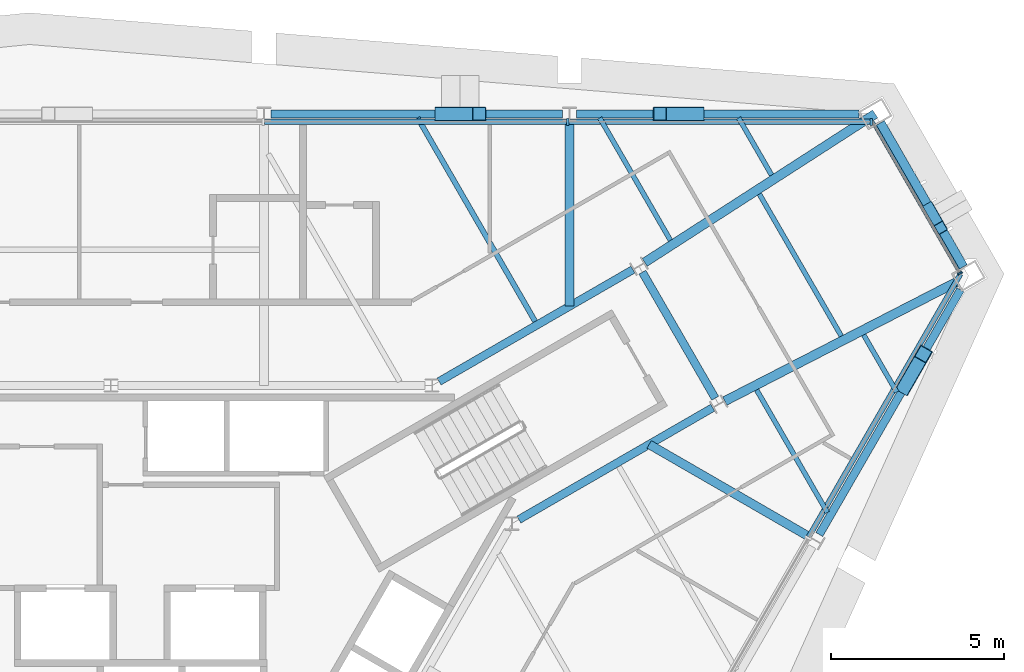
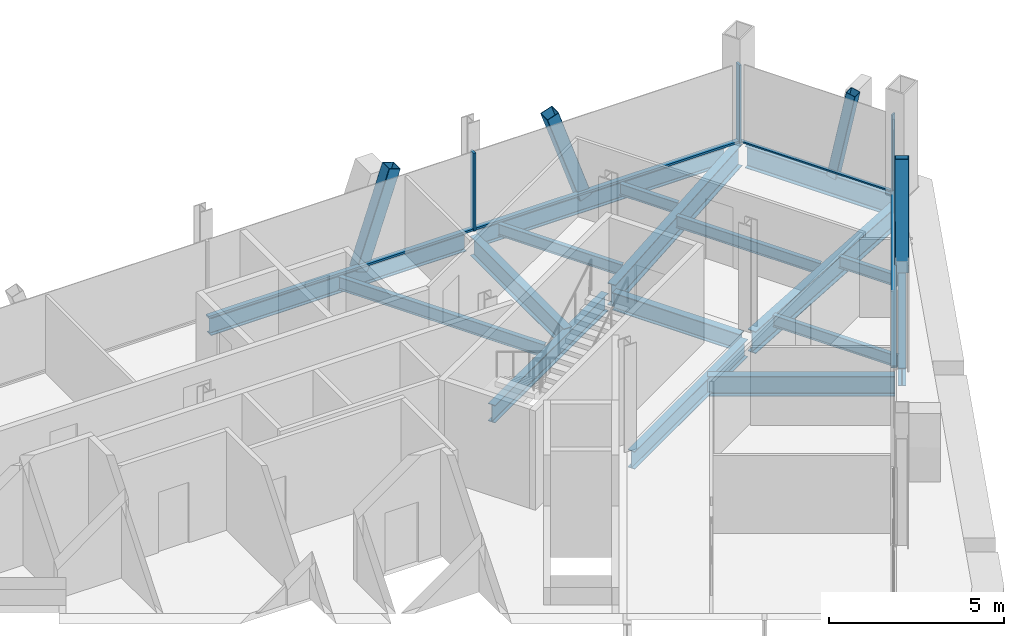
# One storey, part 7 of 14: 17 beams, 11 members, 3 elements without a shape of their own.
"""IFC4 building model written with IfcOpenShell, lengths in metres."""

from ifc_helpers import new_model, si_unit, direction, frame, origin, origin_2d, place, context, subcontext, project, spatial, rectangle, hollow_rectangle, i_section, extrude, material, material_profile, profile_set, type_object, element, aggregate, save


model = new_model("IFC4")

# Units and contexts
model_context = context("Model", 3, precision=1e-05, world=origin(), true_north=direction((0.0, 1.0)))
body_context = subcontext(model_context, "Body", "Model", "MODEL_VIEW")
ifc_project = project(units=[si_unit("LENGTHUNIT", "METRE"), si_unit("AREAUNIT", "SQUARE_METRE"), si_unit("VOLUMEUNIT", "CUBIC_METRE"), si_unit("PLANEANGLEUNIT", "RADIAN"), si_unit("MASSUNIT", "GRAM", prefix="KILO")], contexts=[model_context])

# Site, building, storey
site_placement = place(None, origin())
site = spatial("IfcSite", under=ifc_project, at=site_placement, CompositionType="ELEMENT")
building_placement = place(site_placement, origin())
building = spatial("IfcBuilding", under=site, at=building_placement, Name="Verrane Prism Tower", CompositionType="ELEMENT")
storey_placement = place(building_placement, frame((0.0, 0.0, 221.199951171875)))
storey = spatial("IfcBuildingStorey", under=building, at=storey_placement, Name="L55", CompositionType="ELEMENT", Elevation=221.199951171875)

# Member
ifc_material_1 = material(Name="Steel A500 Grade C", Category="steel")
ifc_material_profile_1 = material_profile(ifc_material_1, hollow_rectangle(XDim=0.3046875, YDim=0.3046875, WallThickness=0.0126953125, InnerFilletRadius=0.00634765625, OuterFilletRadius=0.01904296875, at=origin_2d()), Name="HSS12x12x1/2")
ifc_profile_set_1 = profile_set([ifc_material_profile_1], Name="Steel A500 Grade C")
member_type_1 = type_object("IfcMemberType", Name="Chamfer brace HSS12x12x1/2", PredefinedType="BRACE", material=ifc_profile_set_1)
member_1_placement = place(storey_placement, frame((23.597900390625, 13.108154296875, -0.242431640625), z_axis=(0.101662937662, -0.176564375849, 0.979024855807), x_axis=(0.866612565055, 0.498981625001, 0.0)))
element("IfcMember", 1, at=member_1_placement, inside=storey, type_object=member_type_1, Name="Chamfer brace NE0 L55", PredefinedType="BRACE", context=body_context, shape_type="SweptSolid", body=[
    extrude(hollow_rectangle(XDim=0.3046875, YDim=0.3046875, WallThickness=0.0126953125, InnerFilletRadius=0.00634765625, OuterFilletRadius=0.01904296875, at=origin_2d()), origin(), (0.0, 0.0, 1.0), 3.1748046875),
])

# Beams
ifc_material_2 = material(Name="Steel A992", Category="steel")
ifc_material_profile_2 = material_profile(ifc_material_2, i_section(OverallWidth=0.2666015625, OverallDepth=0.7568359375, WebThickness=0.013916015625, FlangeThickness=0.019287109375, FilletRadius=0.0166015625, at=origin_2d()), Name="W30x108")
ifc_profile_set_2 = profile_set([ifc_material_profile_2], Name="Steel A992")
beam_type_1 = type_object("IfcBeamType", Name="Chamfer spandrel beam W30x108", PredefinedType="SPANDREL", material=ifc_profile_set_2)
beam_1_placement = place(storey_placement, frame((24.5703125, 11.419921875, -0.538330078125), z_axis=(-0.499144251771, 0.866518906848, 0.0), x_axis=(-0.866518906848, -0.499144251771, 0.0)))
element("IfcBeam", 2, at=beam_1_placement, inside=storey, type_object=beam_type_1, Name="Chamfer spandrel beam L55", PredefinedType="SPANDREL", context=body_context, shape_type="SweptSolid", body=[
    extrude(i_section(OverallWidth=0.2666015625, OverallDepth=0.7568359375, WebThickness=0.013916015625, FlangeThickness=0.019287109375, FilletRadius=0.0166015625, at=origin_2d()), origin(), (0.0, 0.0, 1.0), 4.78955078125),
])
ifc_material_3 = material(Name="Steel A992", Category="steel")
ifc_material_profile_3 = material_profile(ifc_material_3, i_section(OverallWidth=0.23046875, OverallDepth=0.6171875, WebThickness=0.01318359375, FlangeThickness=0.022216796875, FilletRadius=0.012939453125, at=origin_2d()), Name="W24x94")
ifc_profile_set_3 = profile_set([ifc_material_profile_3], Name="Steel A992")
beam_type_2 = type_object("IfcBeamType", Name="Core ring girder W24x94", PredefinedType="BEAM", material=ifc_profile_set_3)
beam_2_placement = place(storey_placement, frame((11.759521484375, 4.135009765625, -0.55859375), z_axis=(0.866080992722, 0.499903704773, 0.0), x_axis=(-0.499903704773, 0.866080992722, 0.0)))
element("IfcBeam", 3, at=beam_2_placement, inside=storey, type_object=beam_type_2, Name="Core ring girder L55", PredefinedType="BEAM", context=body_context, shape_type="SweptSolid", body=[
    extrude(i_section(OverallWidth=0.23046875, OverallDepth=0.6171875, WebThickness=0.01318359375, FlangeThickness=0.022216796875, FilletRadius=0.012939453125, at=origin_2d()), origin(), (0.0, 0.0, 1.0), 6.451904296875),
])
beam_3_placement = place(storey_placement, frame((17.419677734375, 7.6337890625, -0.55859375), z_axis=(-0.500375511519, 0.865808493532, 0.0), x_axis=(-0.865808493532, -0.500375511519, 0.0)))
element("IfcBeam", 4, at=beam_3_placement, inside=storey, type_object=beam_type_2, Name="Core ring girder L55", PredefinedType="BEAM", context=body_context, shape_type="SweptSolid", body=[
    extrude(i_section(OverallWidth=0.23046875, OverallDepth=0.6171875, WebThickness=0.01318359375, FlangeThickness=0.022216796875, FilletRadius=0.012939453125, at=origin_2d()), origin(), (0.0, 0.0, 1.0), 4.195556640625),
])
beam_4_placement = place(storey_placement, frame((15.04736328125, 11.34033203125, -0.55859375), z_axis=(-0.866080992722, -0.499903704773, 0.0), x_axis=(0.499903704773, -0.866080992722, 0.0)))
element("IfcBeam", 5, at=beam_4_placement, inside=storey, type_object=beam_type_2, Name="Core ring girder L55", PredefinedType="BEAM", context=body_context, shape_type="SweptSolid", body=[
    extrude(i_section(OverallWidth=0.23046875, OverallDepth=0.6171875, WebThickness=0.01318359375, FlangeThickness=0.022216796875, FilletRadius=0.012939453125, at=origin_2d()), origin(), (0.0, 0.0, 1.0), 6.451904296875),
])
ifc_material_4 = material(Name="Steel A992", Category="steel")
ifc_material_profile_4 = material_profile(ifc_material_4, i_section(OverallWidth=0.2666015625, OverallDepth=0.76708984375, WebThickness=0.014892578125, FlangeThickness=0.023681640625, FilletRadius=0.0166015625, at=origin_2d()), Name="W30x124")
ifc_profile_set_4 = profile_set([ifc_material_profile_4], Name="Steel A992")
beam_type_3 = type_object("IfcBeamType", Name="Corner girder W30x124", PredefinedType="BEAM", material=ifc_profile_set_4)
beam_5_placement = place(storey_placement, frame((24.36376953125, 10.97705078125, -0.603515625), z_axis=(-0.889427813273, -0.457075666576, 0.0), x_axis=(0.457075666576, -0.889427813273, 0.0)))
element("IfcBeam", 6, at=beam_5_placement, inside=storey, type_object=beam_type_3, Name="Corner girder L55", PredefinedType="BEAM", context=body_context, shape_type="SweptSolid", body=[
    extrude(i_section(OverallWidth=0.2666015625, OverallDepth=0.76708984375, WebThickness=0.014892578125, FlangeThickness=0.023681640625, FilletRadius=0.0166015625, at=origin_2d()), origin(), (0.0, 0.0, 1.0), 7.4951171875),
])
beam_6_placement = place(storey_placement, frame((22.02880859375, 15.8291015625, -0.603515625), z_axis=(-0.840503183153, -0.541806606742, 0.0), x_axis=(0.541806606742, -0.840503183153, 0.0)))
element("IfcBeam", 7, at=beam_6_placement, inside=storey, type_object=beam_type_3, Name="Corner girder L55", PredefinedType="BEAM", context=body_context, shape_type="SweptSolid", body=[
    extrude(i_section(OverallWidth=0.2666015625, OverallDepth=0.76708984375, WebThickness=0.014892578125, FlangeThickness=0.023681640625, FilletRadius=0.0166015625, at=origin_2d()), origin(), (0.0, 0.0, 1.0), 7.9013671875),
])

# Members
ifc_material_5 = material(Name="Steel A500 Grade C", Category="steel")
ifc_material_profile_5 = material_profile(ifc_material_5, hollow_rectangle(XDim=0.406494140625, YDim=0.406494140625, WallThickness=0.01904296875, InnerFilletRadius=0.009521484375, OuterFilletRadius=0.028564453125, at=origin_2d()), Name="HSS16x16x3/4")
ifc_profile_set_5 = profile_set([ifc_material_profile_5], Name="Steel A500 Grade C")
member_type_2 = type_object("IfcMemberType", Name="Facade brace HSS16x16x3/4", PredefinedType="BRACE", material=ifc_profile_set_5)
for number, where, z_axis, x_axis, name in (
    (8, (16.909912109375, 15.830078125, -0.216552734375), (-0.322036269863, 0.0, 0.946727331861), (0.0, -1.0, 0.0), "Facade brace N0 L55"),
    (9, (9.530029296875, 15.830078125, -0.216552734375), (0.322036269863, 0.0, 0.946727331861), (0.0, 1.0, 0.0), "Facade brace N1 L55"),
):
    element("IfcMember", number, at=place(storey_placement, frame(where, z_axis=z_axis, x_axis=x_axis)), inside=storey, type_object=member_type_2, Name=name, PredefinedType="BRACE", context=body_context, shape_type="SweptSolid", body=[
        extrude(hollow_rectangle(XDim=0.406494140625, YDim=0.406494140625, WallThickness=0.01904296875, InnerFilletRadius=0.009521484375, OuterFilletRadius=0.028564453125, at=origin_2d()), origin(), (0.0, 0.0, 1.0), 3.3759765625),
    ])
member_2_placement = place(storey_placement, frame((22.877197265625, 7.964111328125, -0.216552734375), z_axis=(0.160840106814, 0.278938980208, 0.946743632332), x_axis=(-0.866301479864, 0.499521517039, 0.0)))
element("IfcMember", 10, at=member_2_placement, inside=storey, type_object=member_type_2, Name="Facade brace SE4 L55", PredefinedType="BRACE", context=body_context, shape_type="SweptSolid", body=[
    extrude(hollow_rectangle(XDim=0.406494140625, YDim=0.406494140625, WallThickness=0.01904296875, InnerFilletRadius=0.009521484375, OuterFilletRadius=0.028564453125, at=origin_2d()), origin(), (0.0, 0.0, 1.0), 3.375732421875),
])

# Beams
ifc_material_6 = material(Name="Steel A992", Category="steel")
ifc_material_profile_6 = material_profile(ifc_material_6, i_section(OverallWidth=0.140380859375, OverallDepth=0.40380859375, WebThickness=0.007080078125, FlangeThickness=0.01123046875, FilletRadius=0.01025390625, at=origin_2d()), Name="W16x31")
ifc_profile_set_6 = profile_set([ifc_material_profile_6], Name="Steel A992")
beam_type_4 = type_object("IfcBeamType", Name="Floor beam W16x31", PredefinedType="BEAM", material=ifc_profile_set_6)
beam_7_placement = place(storey_placement, frame((19.0458984375, 14.065185546875, -0.36181640625), z_axis=(-0.499929534118, 0.866066083458, 0.0), x_axis=(-0.866066083458, -0.499929534118, 0.0)))
element("IfcBeam", 11, at=beam_7_placement, inside=storey, type_object=beam_type_4, Name="Floor beam L55", PredefinedType="BEAM", context=body_context, shape_type="SweptSolid", body=[
    extrude(i_section(OverallWidth=0.140380859375, OverallDepth=0.40380859375, WebThickness=0.007080078125, FlangeThickness=0.01123046875, FilletRadius=0.01025390625, at=origin_2d()), origin(), (0.0, 0.0, 1.0), 1.905029296875),
])
beam_8_placement = place(storey_placement, frame((16.12890625, 12.184814453125, -0.36181640625), z_axis=(-0.499978218965, 0.866037978706, 0.0), x_axis=(-0.866037978706, -0.499978218965, 0.0)))
element("IfcBeam", 12, at=beam_8_placement, inside=storey, type_object=beam_type_4, Name="Floor beam L55", PredefinedType="BEAM", context=body_context, shape_type="SweptSolid", body=[
    extrude(i_section(OverallWidth=0.140380859375, OverallDepth=0.40380859375, WebThickness=0.007080078125, FlangeThickness=0.01123046875, FilletRadius=0.01025390625, at=origin_2d()), origin(), (0.0, 0.0, 1.0), 4.076416015625),
])
beam_9_placement = place(storey_placement, frame((22.65380859375, 7.80712890625, -0.36181640625), z_axis=(-0.500036506332, 0.866004325818, 0.0), x_axis=(-0.866004325818, -0.500036506332, 0.0)))
element("IfcBeam", 13, at=beam_9_placement, inside=storey, type_object=beam_type_4, Name="Floor beam L55", PredefinedType="BEAM", context=body_context, shape_type="SweptSolid", body=[
    extrude(i_section(OverallWidth=0.140380859375, OverallDepth=0.40380859375, WebThickness=0.007080078125, FlangeThickness=0.01123046875, FilletRadius=0.01025390625, at=origin_2d()), origin(), (0.0, 0.0, 1.0), 1.906494140625),
])
beam_10_placement = place(storey_placement, frame((20.654052734375, 4.33935546875, -0.36181640625), z_axis=(-0.500007372378, 0.866021147298, 0.0), x_axis=(-0.866021147298, -0.500007372378, 0.0)))
element("IfcBeam", 14, at=beam_10_placement, inside=storey, type_object=beam_type_4, Name="Floor beam L55", PredefinedType="BEAM", context=body_context, shape_type="SweptSolid", body=[
    extrude(i_section(OverallWidth=0.140380859375, OverallDepth=0.40380859375, WebThickness=0.007080078125, FlangeThickness=0.01123046875, FilletRadius=0.01025390625, at=origin_2d()), origin(), (0.0, 0.0, 1.0), 4.07958984375),
])
beam_11_placement = place(storey_placement, frame((21.0546875, 9.426513671875, -0.36181640625), z_axis=(-0.499972881236, 0.866041060244, 0.0), x_axis=(-0.866041060244, -0.499972881236, 0.0)))
element("IfcBeam", 15, at=beam_11_placement, inside=storey, type_object=beam_type_4, Name="Floor beam L55", PredefinedType="BEAM", context=body_context, shape_type="SweptSolid", body=[
    extrude(i_section(OverallWidth=0.140380859375, OverallDepth=0.40380859375, WebThickness=0.007080078125, FlangeThickness=0.01123046875, FilletRadius=0.01025390625, at=origin_2d()), origin(), (0.0, 0.0, 1.0), 4.725830078125),
])
ifc_material_7 = material(Name="Steel A992", Category="steel")
ifc_material_profile_7 = material_profile(ifc_material_7, i_section(OverallWidth=0.15234375, OverallDepth=0.449462890625, WebThickness=0.007568359375, FlangeThickness=0.0107421875, FilletRadius=0.01025390625, at=origin_2d()), Name="W18x35")
ifc_profile_set_7 = profile_set([ifc_material_profile_7], Name="Steel A992")
beam_type_5 = type_object("IfcBeamType", Name="Floor beam W18x35", PredefinedType="BEAM", material=ifc_profile_set_7)
beam_12_placement = place(storey_placement, frame((12.22900390625, 9.849853515625, -0.384765625), z_axis=(-0.499992893009, 0.866029506969, 0.0), x_axis=(-0.866029506969, -0.499992893009, 0.0)))
element("IfcBeam", 16, at=beam_12_placement, inside=storey, type_object=beam_type_5, Name="Floor beam L55", PredefinedType="BEAM", context=body_context, shape_type="SweptSolid", body=[
    extrude(i_section(OverallWidth=0.15234375, OverallDepth=0.449462890625, WebThickness=0.007568359375, FlangeThickness=0.0107421875, FilletRadius=0.01025390625, at=origin_2d()), origin(), (0.0, 0.0, 1.0), 6.7724609375),
])

# Curtain wall, member
ifc_material_8 = material(Name="Aluminium framed insulated glazing", Category="aluminium")
curtain_wall_type_1 = type_object("IfcCurtainWallType", Name="Curtain wall CW-C 4200 module", PredefinedType="NOTDEFINED", material=ifc_material_8)
curtain_wall_1_placement = place(storey_placement, origin())
curtain_wall_1 = element("IfcCurtainWall", 17, at=curtain_wall_1_placement, inside=storey, type_object=curtain_wall_type_1, Name="Glazed curtain wall north-east corner L55", PredefinedType="NOTDEFINED")
ifc_material_9 = material(Name="Aluminium alloy 6063-T6", Category="aluminium")
ifc_material_profile_8 = material_profile(ifc_material_9, rectangle(XDim=0.139892578125, YDim=0.050048828125, at=origin_2d()), Name="Mullion 50x140 aluminium")
ifc_profile_set_8 = profile_set([ifc_material_profile_8], Name="Aluminium alloy 6063-T6")
member_type_3 = type_object("IfcMemberType", Name="Mullion 50x140 aluminium", PredefinedType="MULLION", material=ifc_profile_set_8)
member_3_placement = place(storey_placement, frame((24.476806640625, 11.234619140625, 0.0), z_axis=(0.0, 0.0, 1.0), x_axis=(-0.866028188915, -0.499995175981, 0.0)))
member_3 = element("IfcMember", 18, at=member_3_placement, type_object=member_type_3, Name="CW54.1 mullion 1", PredefinedType="MULLION", context=body_context, shape_type="SweptSolid", body=[
    extrude(rectangle(XDim=0.139892578125, YDim=0.050048828125, at=origin_2d()), origin(), (0.0, 0.0, 1.0), 2.712890625),
])

# Curtain wall, members
ifc_material_10 = material(Name="Aluminium framed insulated glazing", Category="aluminium")
curtain_wall_type_2 = type_object("IfcCurtainWallType", Name="Curtain wall CW-A 8400 module", PredefinedType="NOTDEFINED", material=ifc_material_10)
curtain_wall_2_placement = place(storey_placement, origin())
curtain_wall_2 = element("IfcCurtainWall", 19, at=curtain_wall_2_placement, inside=storey, type_object=curtain_wall_type_2, Name="Glazed curtain wall north face L55", PredefinedType="NOTDEFINED")
ifc_material_11 = material(Name="Aluminium alloy 6063-T6", Category="aluminium")
ifc_material_profile_9 = material_profile(ifc_material_11, rectangle(XDim=0.199951171875, YDim=0.070068359375, at=origin_2d()), Name="Mullion 70x200 aluminium")
ifc_profile_set_9 = profile_set([ifc_material_profile_9], Name="Aluminium alloy 6063-T6")
member_type_4 = type_object("IfcMemberType", Name="Mullion 70x200 aluminium", PredefinedType="MULLION", material=ifc_profile_set_9)
member_4_placement = place(storey_placement, frame((21.92041015625, 15.601806640625, 0.0), z_axis=(0.0, 0.0, 1.0), x_axis=(0.0, -1.0, 0.0)))
member_4 = element("IfcMember", 20, at=member_4_placement, type_object=member_type_4, Name="CW54.2 mullion 1", PredefinedType="MULLION", context=body_context, shape_type="SweptSolid", body=[
    extrude(rectangle(XDim=0.199951171875, YDim=0.070068359375, at=origin_2d()), origin(), (0.0, 0.0, 1.0), 2.712890625),
])
member_5_placement = place(storey_placement, frame((13.173095703125, 15.601806640625, 0.0), z_axis=(0.0, 0.0, 1.0), x_axis=(0.0, -1.0, 0.0)))
member_5 = element("IfcMember", 21, at=member_5_placement, type_object=member_type_4, Name="CW54.2 mullion 2", PredefinedType="MULLION", context=body_context, shape_type="SweptSolid", body=[
    extrude(rectangle(XDim=0.199951171875, YDim=0.070068359375, at=origin_2d()), origin(), (0.0, 0.0, 1.0), 2.712890625),
])

# Beams
ifc_material_12 = material(Name="Steel A992", Category="steel")
ifc_material_profile_10 = material_profile(ifc_material_12, i_section(OverallWidth=0.25390625, OverallDepth=0.683349609375, WebThickness=0.012451171875, FlangeThickness=0.01904296875, FilletRadius=0.01513671875, at=origin_2d()), Name="W27x94")
ifc_profile_set_10 = profile_set([ifc_material_profile_10], Name="Steel A992")
beam_type_6 = type_object("IfcBeamType", Name="Radial girder W27x94", PredefinedType="BEAM", material=ifc_profile_set_10)
beam_13_placement = place(storey_placement, frame((13.219970703125, 15.630615234375, -0.5615234375), z_axis=(0.0, -1.0, 0.0), x_axis=(1.0, 0.0, 0.0)))
element("IfcBeam", 22, at=beam_13_placement, inside=storey, type_object=beam_type_6, Name="Radial girder L55", PredefinedType="BEAM", context=body_context, shape_type="SweptSolid", body=[
    extrude(i_section(OverallWidth=0.25390625, OverallDepth=0.683349609375, WebThickness=0.012451171875, FlangeThickness=0.01904296875, FilletRadius=0.01513671875, at=origin_2d()), origin(), (0.0, 0.0, 1.0), 5.344970703125),
])
beam_14_placement = place(storey_placement, frame((20.147216796875, 3.629638671875, -0.5615234375), z_axis=(-0.866020604947, 0.500008311739, 0.0), x_axis=(-0.500008311739, -0.866020604947, 0.0)))
element("IfcBeam", 23, at=beam_14_placement, inside=storey, type_object=beam_type_6, Name="Radial girder L55", PredefinedType="BEAM", context=body_context, shape_type="SweptSolid", body=[
    extrude(i_section(OverallWidth=0.25390625, OverallDepth=0.683349609375, WebThickness=0.012451171875, FlangeThickness=0.01904296875, FilletRadius=0.01513671875, at=origin_2d()), origin(), (0.0, 0.0, 1.0), 5.34765625),
])
ifc_material_13 = material(Name="Steel A992", Category="steel")
ifc_material_profile_11 = material_profile(ifc_material_13, i_section(OverallWidth=0.23046875, OverallDepth=0.6171875, WebThickness=0.01318359375, FlangeThickness=0.022216796875, FilletRadius=0.012939453125, at=origin_2d()), Name="W24x94")
ifc_profile_set_11 = profile_set([ifc_material_profile_11], Name="Steel A992")
beam_type_7 = type_object("IfcBeamType", Name="Spandrel beam W24x94", PredefinedType="SPANDREL", material=ifc_profile_set_11)
beam_15_placement = place(storey_placement, frame((21.568115234375, 15.830078125, -0.468505859375), z_axis=(-1.0, 0.0, 0.0), x_axis=(0.0, -1.0, 0.0)))
element("IfcBeam", 24, at=beam_15_placement, inside=storey, type_object=beam_type_7, Name="Spandrel beam L55", PredefinedType="SPANDREL", context=body_context, shape_type="SweptSolid", body=[
    extrude(i_section(OverallWidth=0.23046875, OverallDepth=0.6171875, WebThickness=0.01318359375, FlangeThickness=0.022216796875, FilletRadius=0.012939453125, at=origin_2d()), origin(), (0.0, 0.0, 1.0), 8.1474609375),
])
beam_16_placement = place(storey_placement, frame((13.019287109375, 15.830078125, -0.468505859375), z_axis=(-1.0, 0.0, 0.0), x_axis=(0.0, -1.0, 0.0)))
element("IfcBeam", 25, at=beam_16_placement, inside=storey, type_object=beam_type_7, Name="Spandrel beam L55", PredefinedType="SPANDREL", context=body_context, shape_type="SweptSolid", body=[
    extrude(i_section(OverallWidth=0.23046875, OverallDepth=0.6171875, WebThickness=0.01318359375, FlangeThickness=0.022216796875, FilletRadius=0.012939453125, at=origin_2d()), origin(), (0.0, 0.0, 1.0), 8.40869140625),
])
beam_17_placement = place(storey_placement, frame((20.420166015625, 3.703857421875, -0.468505859375), z_axis=(0.499572810058, 0.866271901571, 0.0), x_axis=(-0.866271901571, 0.499572810058, 0.0)))
element("IfcBeam", 26, at=beam_17_placement, inside=storey, type_object=beam_type_7, Name="Spandrel beam L55", PredefinedType="SPANDREL", context=body_context, shape_type="SweptSolid", body=[
    extrude(i_section(OverallWidth=0.23046875, OverallDepth=0.6171875, WebThickness=0.01318359375, FlangeThickness=0.022216796875, FilletRadius=0.012939453125, at=origin_2d()), origin(), (0.0, 0.0, 1.0), 8.145263671875),
])

# Member
ifc_material_14 = material(Name="Aluminium alloy 6063-T6", Category="aluminium")
ifc_material_profile_12 = material_profile(ifc_material_14, rectangle(XDim=0.10009765625, YDim=0.050048828125, at=origin_2d()), Name="Transom 50x100 aluminium")
ifc_profile_set_12 = profile_set([ifc_material_profile_12], Name="Aluminium alloy 6063-T6")
member_type_5 = type_object("IfcMemberType", Name="Transom 50x100 aluminium", PredefinedType="USERDEFINED", material=ifc_profile_set_12)
member_6_placement = place(storey_placement, frame((24.464111328125, 11.256103515625, 0.025146484375), z_axis=(-0.499969537666, 0.866042990507, 0.0), x_axis=(-0.866042990507, -0.499969537666, 0.0)))
member_6 = element("IfcMember", 27, at=member_6_placement, type_object=member_type_5, Name="CW54.1 transom 1", ObjectType="TRANSOM", PredefinedType="USERDEFINED", context=body_context, shape_type="SweptSolid", body=[
    extrude(rectangle(XDim=0.10009765625, YDim=0.050048828125, at=origin_2d()), origin(), (0.0, 0.0, 1.0), 5.017822265625),
])

aggregate(curtain_wall_1, [member_3, member_6])

ifc_material_15 = material(Name="Aluminium alloy 6063-T6", Category="aluminium")
ifc_material_profile_13 = material_profile(ifc_material_15, rectangle(XDim=0.14990234375, YDim=0.070068359375, at=origin_2d()), Name="Transom 70x150 aluminium")
ifc_profile_set_13 = profile_set([ifc_material_profile_13], Name="Aluminium alloy 6063-T6")
member_type_6 = type_object("IfcMemberType", Name="Transom 70x150 aluminium", PredefinedType="USERDEFINED", material=ifc_profile_set_13)
member_7_placement = place(storey_placement, frame((21.88525390625, 15.601806640625, 0.03515625), z_axis=(-1.0, 0.0, 0.0), x_axis=(0.0, -1.0, 0.0)))
member_7 = element("IfcMember", 28, at=member_7_placement, type_object=member_type_6, Name="CW54.2 transom 1", ObjectType="TRANSOM", PredefinedType="USERDEFINED", context=body_context, shape_type="SweptSolid", body=[
    extrude(rectangle(XDim=0.14990234375, YDim=0.070068359375, at=origin_2d()), origin(), (0.0, 0.0, 1.0), 8.677001953125),
])

member_8_placement = place(storey_placement, frame((13.13818359375, 15.601806640625, 0.03515625), z_axis=(-1.0, 0.0, 0.0), x_axis=(0.0, -1.0, 0.0)))
member_8 = element("IfcMember", 29, at=member_8_placement, type_object=member_type_6, Name="CW54.2 transom 2", ObjectType="TRANSOM", PredefinedType="USERDEFINED", context=body_context, shape_type="SweptSolid", body=[
    extrude(rectangle(XDim=0.14990234375, YDim=0.070068359375, at=origin_2d()), origin(), (0.0, 0.0, 1.0), 8.712158203125),
])

aggregate(curtain_wall_2, [member_4, member_5, member_7, member_8])

# Curtain wall, member
curtain_wall_3_placement = place(storey_placement, origin())
curtain_wall_3 = element("IfcCurtainWall", 30, at=curtain_wall_3_placement, inside=storey, type_object=curtain_wall_type_2, Name="Glazed curtain wall south-east face L55", PredefinedType="NOTDEFINED")
member_9_placement = place(storey_placement, frame((20.11572265625, 3.6376953125, 0.03515625), z_axis=(0.499999494409, 0.866025695687, 0.0), x_axis=(-0.866025695687, 0.499999494409, 0.0)))
member_9 = element("IfcMember", 31, at=member_9_placement, type_object=member_type_6, Name="CW54.6 transom 5", ObjectType="TRANSOM", PredefinedType="USERDEFINED", context=body_context, shape_type="SweptSolid", body=[
    extrude(rectangle(XDim=0.14990234375, YDim=0.070068359375, at=origin_2d()), origin(), (0.0, 0.0, 1.0), 8.7470703125),
])
aggregate(curtain_wall_3, [member_9])

save(model, "model.ifc")
